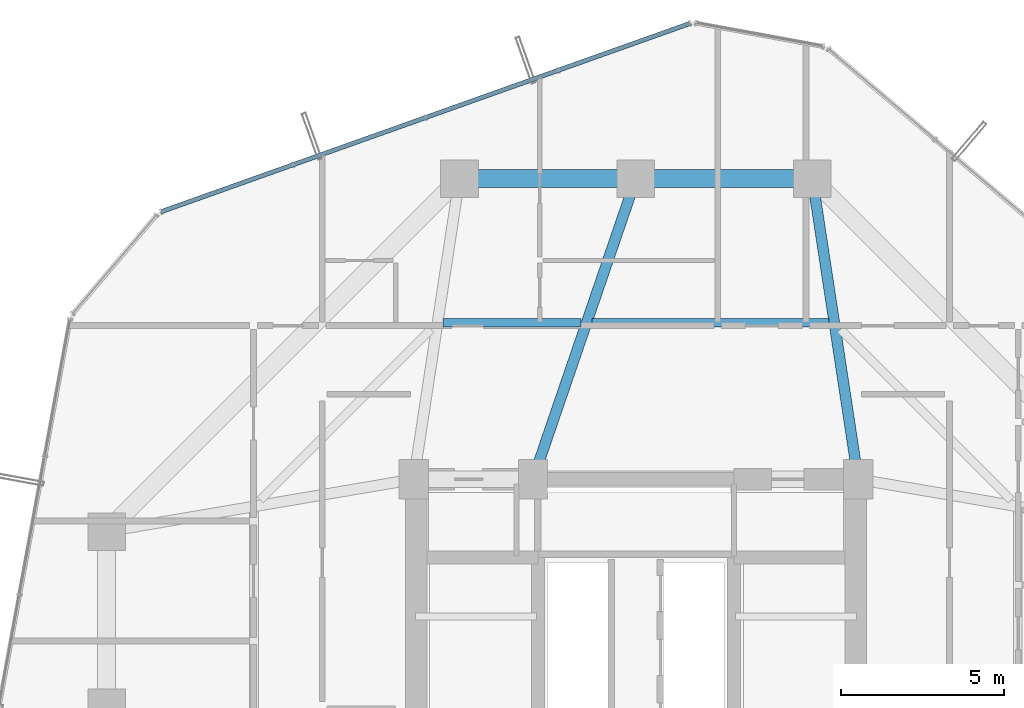
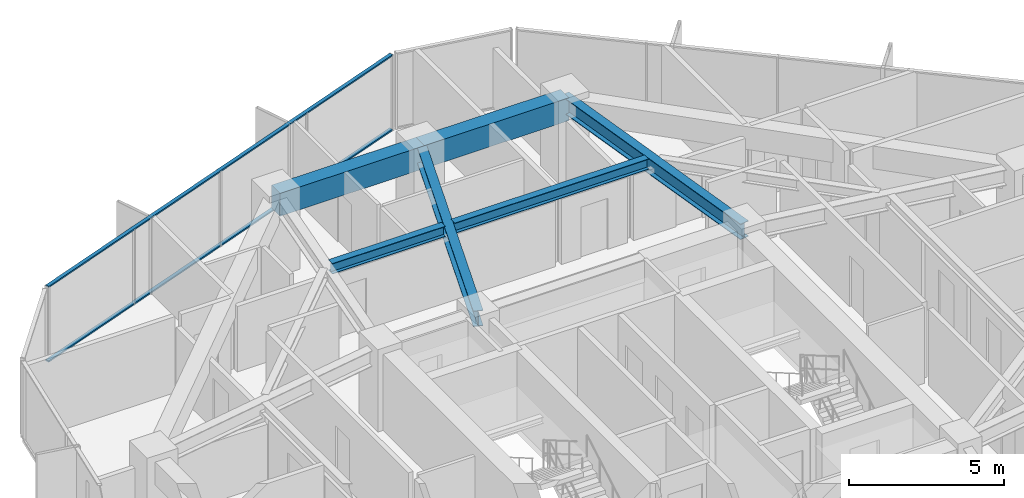
# One storey, part 22 of 33: 6 beams, 2 members, 1 element without a shape of its own.
"""IFC4 building model written with IfcOpenShell, lengths in metres."""

from ifc_helpers import new_model, si_unit, direction, frame, origin, origin_2d, place, context, subcontext, project, spatial, rectangle, hollow_rectangle, i_section, extrude, source, transform, mapped, material, layer, layer_set, material_profile, profile_set, type_object, element, aggregate, save


model = new_model("IFC4")

# Units and contexts
model_context = context("Model", 3, precision=1e-05, world=origin(), true_north=direction((0.0, 1.0)))
body_context = subcontext(model_context, "Body", "Model", "MODEL_VIEW")
ifc_project = project(units=[si_unit("LENGTHUNIT", "METRE"), si_unit("AREAUNIT", "SQUARE_METRE"), si_unit("VOLUMEUNIT", "CUBIC_METRE"), si_unit("PLANEANGLEUNIT", "RADIAN"), si_unit("MASSUNIT", "GRAM", prefix="KILO")], contexts=[model_context])

# Site, building, storey
site_placement = place(None, origin())
site = spatial("IfcSite", under=ifc_project, at=site_placement, CompositionType="ELEMENT")
building_placement = place(site_placement, origin())
building = spatial("IfcBuilding", under=site, at=building_placement, Name="Veraguas Prism Commons", CompositionType="ELEMENT")
storey_placement = place(building_placement, frame((0.0, 0.0, 92.699951171875)))
storey = spatial("IfcBuildingStorey", under=building, at=storey_placement, Name="L25", CompositionType="ELEMENT", Elevation=92.699951171875)

# Beams
ifc_material_1 = material(Name="Steel ASTM A992 Grade 50", Category="steel")
ifc_material_profile_1 = material_profile(ifc_material_1, i_section(OverallWidth=0.260986328125, OverallDepth=0.419921875, WebThickness=0.01171875, FlangeThickness=0.019287109375, at=origin_2d()), Name="W410X114")
ifc_profile_set_1 = profile_set([ifc_material_profile_1], Name="Steel ASTM A992 Grade 50")
beam_type_1 = type_object("IfcBeamType", Name="Lower Floor Joist W410x114", PredefinedType="JOIST", material=ifc_profile_set_1)
beam_1_placement = place(storey_placement, frame((29.908203125, 35.783935546875, 2.7900390625), z_axis=(-1.0, 0.0, 0.0), x_axis=(0.0, -1.0, 0.0)))
element("IfcBeam", 1, at=beam_1_placement, inside=storey, type_object=beam_type_1, Name="Composite Floor Joist L25-JS04", PredefinedType="JOIST", context=body_context, shape_type="SweptSolid", body=[
    extrude(i_section(OverallWidth=0.260986328125, OverallDepth=0.419921875, WebThickness=0.01171875, FlangeThickness=0.019287109375, at=origin_2d()), origin(), (0.0, 0.0, 1.0), 7.2490234375),
])
beam_2_placement = place(storey_placement, frame((22.31689453125, 35.783935546875, 2.7900390625), z_axis=(-1.0, 0.0, 0.0), x_axis=(0.0, -1.0, 0.0)))
element("IfcBeam", 2, at=beam_2_placement, inside=storey, type_object=beam_type_1, Name="Composite Floor Joist L25-JS05", PredefinedType="JOIST", context=body_context, shape_type="SweptSolid", body=[
    extrude(i_section(OverallWidth=0.260986328125, OverallDepth=0.419921875, WebThickness=0.01171875, FlangeThickness=0.019287109375, at=origin_2d()), origin(), (0.0, 0.0, 1.0), 4.22509765625),
])
ifc_material_2 = material(Name="Concrete C50/60", Category="concrete")
ifc_material_profile_2 = material_profile(ifc_material_2, rectangle(XDim=0.550048828125, YDim=0.89990234375, at=origin_2d()), Name="RC550X900")
ifc_profile_set_2 = profile_set([ifc_material_profile_2], Name="Concrete C50/60")
beam_type_2 = type_object("IfcBeamType", Name="Perimeter Spandrel Lower RC 550x900", PredefinedType="SPANDREL", material=ifc_profile_set_2)
for number, where, z_axis, x_axis, name in (
    (3, (29.39990234375, 40.199951171875, 2.550048828125), (-1.0, 0.0, 0.0), (0.0, -1.0, 0.0), "Perimeter Spandrel Beam L25-SP04"),
    (4, (24.0, 40.199951171875, 2.550048828125), (-1.0, 0.0, 0.0), (0.0, -1.0, 0.0), "Perimeter Spandrel Beam L25-SP05"),
):
    element("IfcBeam", number, at=place(storey_placement, frame(where, z_axis=z_axis, x_axis=x_axis)), inside=storey, type_object=beam_type_2, Name=name, PredefinedType="SPANDREL", context=body_context, shape_type="SweptSolid", body=[
        extrude(rectangle(XDim=0.550048828125, YDim=0.89990234375, at=origin_2d()), origin(), (0.0, 0.0, 1.0), 5.39990234375),
    ])
ifc_material_profile_3 = material_profile(ifc_material_1, i_section(OverallWidth=0.327880859375, OverallDepth=0.6220703125, WebThickness=0.015380859375, FlangeThickness=0.0244140625, at=origin_2d()), Name="W610X195")
ifc_profile_set_3 = profile_set([ifc_material_profile_3], Name="Steel ASTM A992 Grade 50")
beam_type_3 = type_object("IfcBeamType", Name="Zone 2 Radial Girder W610x195", PredefinedType="BEAM", material=ifc_profile_set_3)
beam_3_placement = place(storey_placement, frame((29.39990234375, 40.199951171875, 2.68896484375), z_axis=(0.150458162136, -0.98861637729, 0.0), x_axis=(0.98861637729, 0.150458162136, 0.0)))
element("IfcBeam", 5, at=beam_3_placement, inside=storey, type_object=beam_type_3, Name="Radial Floor Girder L25-RD04", PredefinedType="BEAM", context=body_context, shape_type="SweptSolid", body=[
    extrude(i_section(OverallWidth=0.327880859375, OverallDepth=0.6220703125, WebThickness=0.015380859375, FlangeThickness=0.0244140625, at=origin_2d()), origin(), (0.0, 0.0, 1.0), 9.305908203125),
])
beam_4_placement = place(storey_placement, frame((24.0, 40.199951171875, 2.68896484375), z_axis=(-0.323922482989, -0.946083624747, 0.0), x_axis=(0.946083624747, -0.323922482989, 0.0)))
element("IfcBeam", 6, at=beam_4_placement, inside=storey, type_object=beam_type_3, Name="Radial Floor Girder L25-RD05", PredefinedType="BEAM", context=body_context, shape_type="SweptSolid", body=[
    extrude(i_section(OverallWidth=0.327880859375, OverallDepth=0.6220703125, WebThickness=0.015380859375, FlangeThickness=0.0244140625, at=origin_2d()), origin(), (0.0, 0.0, 1.0), 9.724365234375),
])

# Curtain wall, members
ifc_material_3 = material(Name="Anodised aluminium EN AW-6063 T6", Category="aluminium")
ifc_layer = layer(ifc_material_3, 0.169921875, Name="Unitised Flush Curtain Wall Zone 2", Category="aluminium")
ifc_layer_set = layer_set([ifc_layer], Name="Anodised aluminium EN AW-6063 T6")
curtain_wall_type = type_object("IfcCurtainWallType", Name="Unitised Flush Curtain Wall Zone 2", PredefinedType="NOTDEFINED", material=ifc_layer_set)
curtain_wall_placement = place(storey_placement, origin())
curtain_wall = element("IfcCurtainWall", 7, at=curtain_wall_placement, inside=storey, type_object=curtain_wall_type, Name="Tower Facade Curtain Wall L25-F2", PredefinedType="NOTDEFINED")
ifc_material_profile_4 = material_profile(ifc_material_3, hollow_rectangle(XDim=0.054931640625, YDim=0.135009765625, WallThickness=0.0029296875, at=origin_2d()), Name="AL55X135X3")
ifc_profile_set_4 = profile_set([ifc_material_profile_4], Name="Anodised aluminium EN AW-6063 T6")
member_type = type_object("IfcMemberType", Name="Curtain Wall Transom Standard AL 55x135x3", PredefinedType="USERDEFINED", material=ifc_profile_set_4)
shared_shape = source(origin(), body_context, "Body", "SweptSolid", [
    extrude(hollow_rectangle(XDim=0.054931640625, YDim=0.135009765625, WallThickness=0.0029296875, at=origin_2d()), origin(), (0.0, 0.0, 1.0), 17.17431640625),
])
member_1_placement = place(storey_placement, frame((25.65478515625, 44.95166015625, 0.027587890625), z_axis=(-0.942056040116, -0.335455536965, 0.0), x_axis=(0.0, 0.0, 1.0)))
member_1 = element("IfcMember", 8, at=member_1_placement, type_object=member_type, Name="CW-Z2 Transom 1", ObjectType="TRANSOM", PredefinedType="USERDEFINED", context=body_context, shape_type="MappedRepresentation", body=[
    mapped(shared_shape, transform((0.0, 0.0, 0.0), scale=1.0)),
])
member_2_placement = place(storey_placement, frame((25.65478515625, 44.95166015625, 2.97265625), z_axis=(-0.942056040116, -0.335455536965, 0.0), x_axis=(0.0, 0.0, 1.0)))
member_2 = element("IfcMember", 9, at=member_2_placement, type_object=member_type, Name="CW-Z2 Transom 2", ObjectType="TRANSOM", PredefinedType="USERDEFINED", context=body_context, shape_type="MappedRepresentation", body=[
    mapped(shared_shape, transform((0.0, 0.0, 0.0), scale=1.0)),
])
aggregate(curtain_wall, [member_1, member_2])

save(model, "model.ifc")
